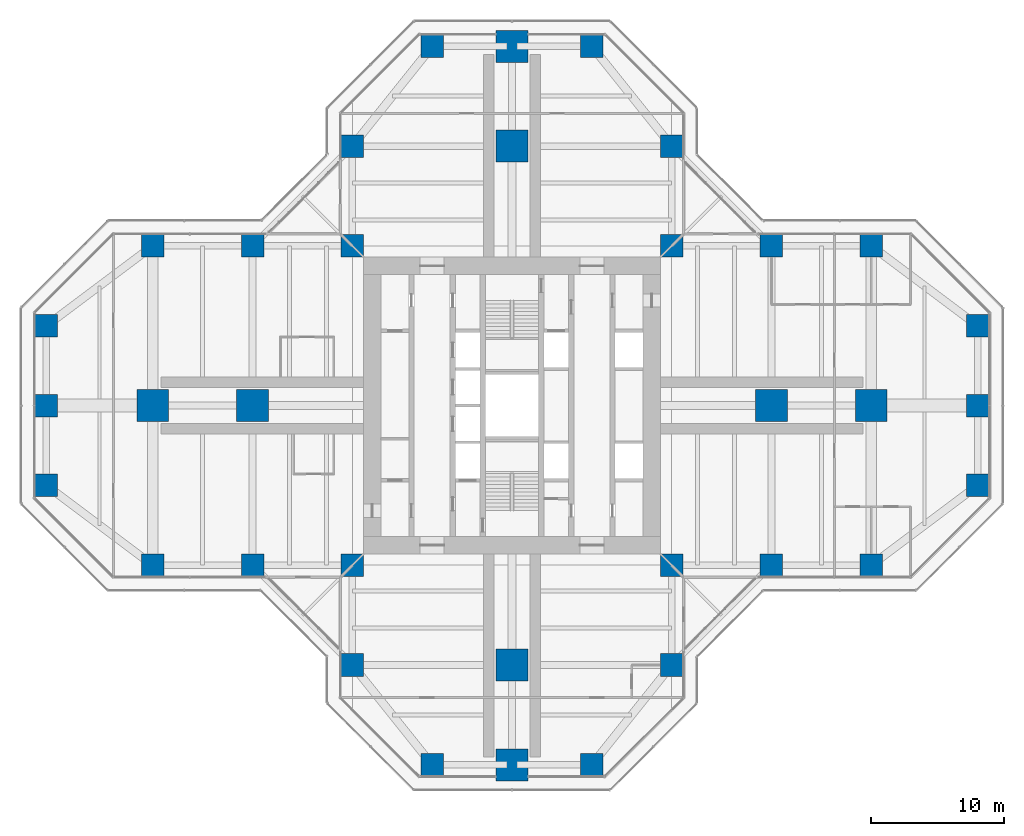
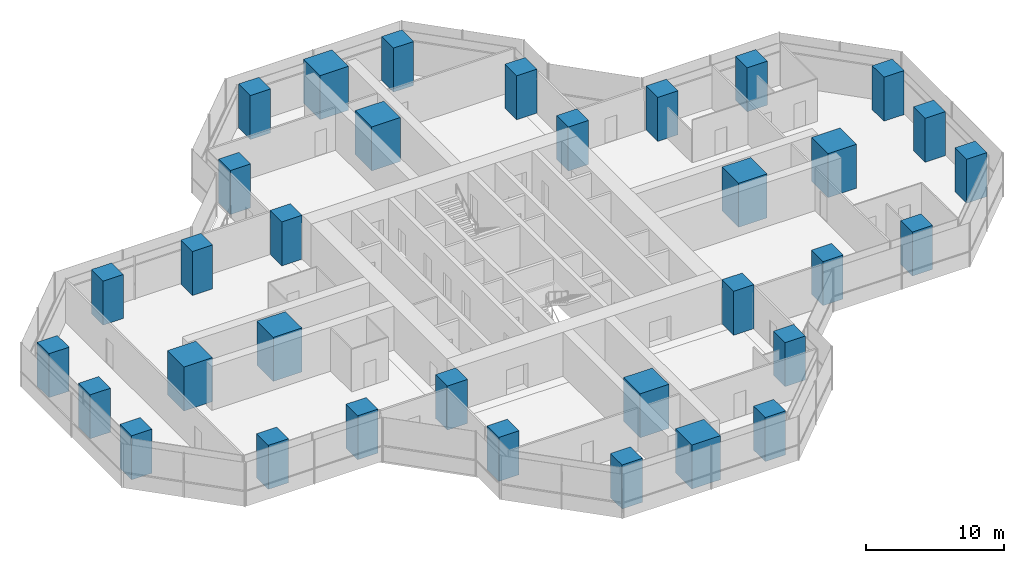
# One storey, part 1 of 19: 34 columns.
"""IFC4 building model written with IfcOpenShell, lengths in metres."""

from ifc_helpers import new_model, si_unit, direction, frame, origin, origin_2d, place, context, subcontext, project, spatial, rectangle, extrude, material, material_profile, profile_set, type_object, element, save


model = new_model("IFC4")

# Units and contexts
model_context = context("Model", 3, precision=1e-05, world=origin(), true_north=direction((0.0, 1.0)))
body_context = subcontext(model_context, "Body", "Model", "MODEL_VIEW")
ifc_project = project(units=[si_unit("LENGTHUNIT", "METRE"), si_unit("AREAUNIT", "SQUARE_METRE"), si_unit("VOLUMEUNIT", "CUBIC_METRE"), si_unit("PLANEANGLEUNIT", "RADIAN"), si_unit("MASSUNIT", "GRAM", prefix="KILO")], contexts=[model_context])

# Site, building, storey
site_placement = place(None, origin())
site = spatial("IfcSite", under=ifc_project, at=site_placement, CompositionType="ELEMENT")
building_placement = place(site_placement, origin())
building = spatial("IfcBuilding", under=site, at=building_placement, Name="Mizan Broadcast Tower", CompositionType="ELEMENT")
storey_placement = place(building_placement, frame((0.0, 0.0, 128.10009765625)))
storey = spatial("IfcBuildingStorey", under=building, at=storey_placement, Name="L28", CompositionType="ELEMENT", Elevation=128.10009765625)

# Columns
ifc_material_1 = material(Name="Concrete C70/85", Category="concrete")
ifc_material_profile_1 = material_profile(ifc_material_1, rectangle(XDim=1.699951171875, YDim=1.699951171875, at=origin_2d()), Name="RC 1700x1700")
ifc_profile_set_1 = profile_set([ifc_material_profile_1], Name="Concrete C70/85")
column_type_1 = type_object("IfcColumnType", Name="RC COLUMN 1700x1700 C70/85", PredefinedType="COLUMN", material=ifc_profile_set_1)
for number, where, z_axis, x_axis, name in (
    (1, (-6.0, -27.0, 0.0), (0.0, 0.0, 1.0), (1.0, 0.0, 0.0), "Column 5/B L28"),
    (2, (6.0, -27.0, 0.0), (0.0, 0.0, 1.0), (1.0, 0.0, 0.0), "Column 7/B L28"),
    (3, (-12.0, -19.5, 0.0), (0.0, 0.0, 1.0), (1.0, 0.0, 0.0), "Column 4/C L28"),
    (4, (12.0, -19.5, 0.0), (0.0, 0.0, 1.0), (1.0, 0.0, 0.0), "Column 8/C L28"),
    (5, (-27.0, -12.0, 0.0), (0.0, 0.0, 1.0), (1.0, 0.0, 0.0), "Column 2/D L28"),
    (6, (-19.5, -12.0, 0.0), (0.0, 0.0, 1.0), (1.0, 0.0, 0.0), "Column 3/D L28"),
    (7, (-12.0, -12.0, 0.0), (0.0, 0.0, 1.0), (1.0, 0.0, 0.0), "Column 4/D L28"),
    (8, (12.0, -12.0, 0.0), (0.0, 0.0, 1.0), (1.0, 0.0, 0.0), "Column 8/D L28"),
    (9, (19.5, -12.0, 0.0), (0.0, 0.0, 1.0), (1.0, 0.0, 0.0), "Column 9/D L28"),
    (10, (27.0, -12.0, 0.0), (0.0, 0.0, 1.0), (1.0, 0.0, 0.0), "Column 10/D L28"),
    (11, (-35.0, -6.0, 0.0), (0.0, 0.0, 1.0), (1.0, 0.0, 0.0), "Column 1/E L28"),
    (12, (35.0, -6.0, 0.0), (0.0, 0.0, 1.0), (1.0, 0.0, 0.0), "Column 11/E L28"),
    (13, (-35.0, 0.0, 0.0), (0.0, 0.0, 1.0), (1.0, 0.0, 0.0), "Column 1/F L28"),
    (14, (35.0, 0.0, 0.0), (0.0, 0.0, 1.0), (1.0, 0.0, 0.0), "Column 11/F L28"),
    (15, (-35.0, 6.0, 0.0), (0.0, 0.0, 1.0), (1.0, 0.0, 0.0), "Column 1/G L28"),
    (16, (35.0, 6.0, 0.0), (0.0, 0.0, 1.0), (1.0, 0.0, 0.0), "Column 11/G L28"),
    (17, (-27.0, 12.0, 0.0), (0.0, 0.0, 1.0), (1.0, 0.0, 0.0), "Column 2/H L28"),
    (18, (-19.5, 12.0, 0.0), (0.0, 0.0, 1.0), (1.0, 0.0, 0.0), "Column 3/H L28"),
    (19, (-12.0, 12.0, 0.0), (0.0, 0.0, 1.0), (1.0, 0.0, 0.0), "Column 4/H L28"),
    (20, (12.0, 12.0, 0.0), (0.0, 0.0, 1.0), (1.0, 0.0, 0.0), "Column 8/H L28"),
    (21, (19.5, 12.0, 0.0), (0.0, 0.0, 1.0), (1.0, 0.0, 0.0), "Column 9/H L28"),
    (22, (27.0, 12.0, 0.0), (0.0, 0.0, 1.0), (1.0, 0.0, 0.0), "Column 10/H L28"),
    (23, (-12.0, 19.5, 0.0), (0.0, 0.0, 1.0), (1.0, 0.0, 0.0), "Column 4/J L28"),
    (24, (12.0, 19.5, 0.0), (0.0, 0.0, 1.0), (1.0, 0.0, 0.0), "Column 8/J L28"),
    (25, (-6.0, 27.0, 0.0), (0.0, 0.0, 1.0), (1.0, 0.0, 0.0), "Column 5/K L28"),
    (26, (6.0, 27.0, 0.0), (0.0, 0.0, 1.0), (1.0, 0.0, 0.0), "Column 7/K L28"),
):
    element("IfcColumn", number, at=place(storey_placement, frame(where, z_axis=z_axis, x_axis=x_axis)), inside=storey, type_object=column_type_1, Name=name, PredefinedType="COLUMN", context=body_context, shape_type="SweptSolid", body=[
        extrude(rectangle(XDim=1.699951171875, YDim=1.699951171875, at=origin_2d()), origin(), (0.0, 0.0, 1.0), 3.89990234375),
    ])
ifc_material_2 = material(Name="Concrete C70/85", Category="concrete")
ifc_material_profile_2 = material_profile(ifc_material_2, rectangle(XDim=2.39990234375, YDim=2.39990234375, at=origin_2d()), Name="RC 2400x2400")
ifc_profile_set_2 = profile_set([ifc_material_profile_2], Name="Concrete C70/85")
column_type_2 = type_object("IfcColumnType", Name="RC COLUMN 2400x2400 C70/85", PredefinedType="COLUMN", material=ifc_profile_set_2)
for number, where, z_axis, x_axis, name in (
    (27, (0.0, -27.0, 0.0), (0.0, 0.0, 1.0), (1.0, 0.0, 0.0), "Column 6/B L28"),
    (28, (0.0, -19.5, 0.0), (0.0, 0.0, 1.0), (1.0, 0.0, 0.0), "Column 6/C L28"),
    (29, (-27.0, 0.0, 0.0), (0.0, 0.0, 1.0), (1.0, 0.0, 0.0), "Column 2/F L28"),
    (30, (-19.5, 0.0, 0.0), (0.0, 0.0, 1.0), (1.0, 0.0, 0.0), "Column 3/F L28"),
    (31, (19.5, 0.0, 0.0), (0.0, 0.0, 1.0), (1.0, 0.0, 0.0), "Column 9/F L28"),
    (32, (27.0, 0.0, 0.0), (0.0, 0.0, 1.0), (1.0, 0.0, 0.0), "Column 10/F L28"),
    (33, (0.0, 19.5, 0.0), (0.0, 0.0, 1.0), (1.0, 0.0, 0.0), "Column 6/J L28"),
    (34, (0.0, 27.0, 0.0), (0.0, 0.0, 1.0), (1.0, 0.0, 0.0), "Column 6/K L28"),
):
    element("IfcColumn", number, at=place(storey_placement, frame(where, z_axis=z_axis, x_axis=x_axis)), inside=storey, type_object=column_type_2, Name=name, PredefinedType="COLUMN", context=body_context, shape_type="SweptSolid", body=[
        extrude(rectangle(XDim=2.39990234375, YDim=2.39990234375, at=origin_2d()), origin(), (0.0, 0.0, 1.0), 3.89990234375),
    ])

save(model, "model.ifc")
